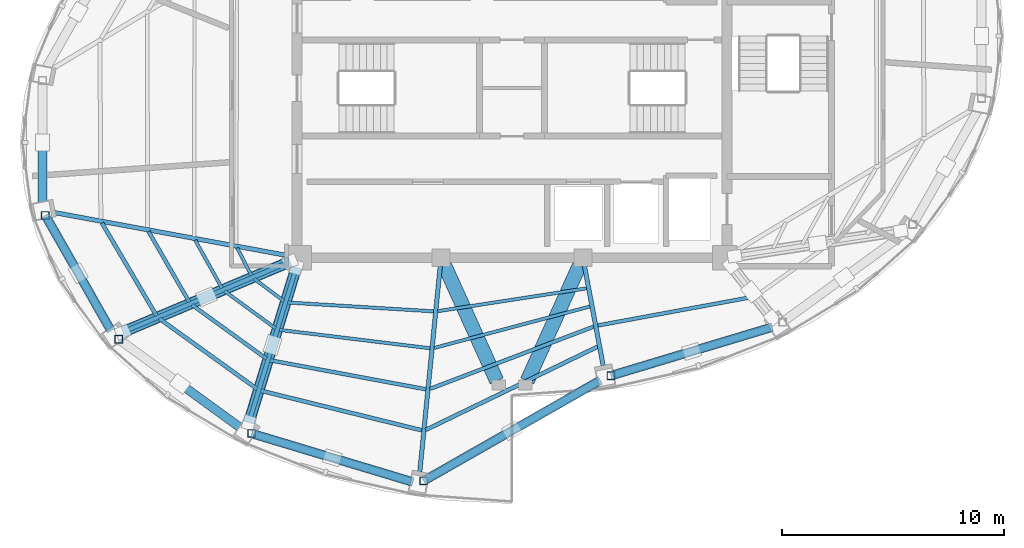
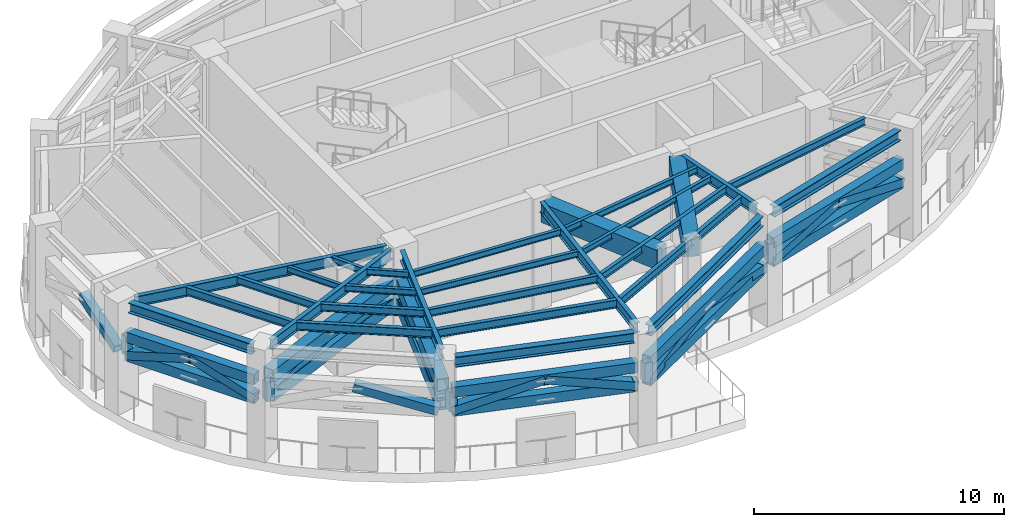
# One storey, part 2 of 12: 31 members, 28 beams.
"""IFC4 building model written with IfcOpenShell, lengths in metres."""

import ifcopenshell
import ifcopenshell.guid

model = None  # the IFC model being written
_history = None  # IfcOwnerHistory: only IFC2X3 demands one
_inside = {}  # id of a spatial element -> (the spatial element, [elements in it])
_under = {}  # id of a project, library or spatial element -> (it, [spatial elements below it])
_declared = {}  # id of a project -> (the project, [libraries it declares])
_typed = {}  # id of a type object -> (the type object, [elements of that type])
_made_of = {}  # id of a material, layer set ... -> (it, [elements and type objects made of it])


def new_model(schema):
    """Start an empty IFC model of exactly this schema.

    Asked for "IFC4X3", IfcOpenShell would pick the latest addendum, in which some entities
    have other attributes; the version numbers below select the first issue.
    IFC2X3 requires an IfcOwnerHistory on every rooted entity: one is made here for all.
    """
    global model, _history
    if schema == "IFC4X3":
        model = ifcopenshell.file(schema_version=(4, 3, 0, 0))
    else:
        model = ifcopenshell.file(schema=schema)
    _inside.clear()
    _under.clear()
    _declared.clear()
    _typed.clear()
    _made_of.clear()
    _history = None
    if model.schema == "IFC2X3":
        org = make("IfcOrganization", Name="unknown")
        user = make(
            "IfcPersonAndOrganization",
            ThePerson=make("IfcPerson", FamilyName="unknown"),
            TheOrganization=org,
        )
        app = make(
            "IfcApplication",
            ApplicationDeveloper=org,
            Version="unknown",
            ApplicationFullName="unknown",
            ApplicationIdentifier="unknown",
        )
        _history = make(
            "IfcOwnerHistory",
            OwningUser=user,
            OwningApplication=app,
            ChangeAction="ADDED",
            CreationDate=0,
        )
    return model


def make(cls, **values):
    """One entity of the class cls with the attributes given. An attribute that is None is left unset."""
    return model.create_entity(
        cls, **{name: value for name, value in values.items() if value is not None}
    )


def rooted(cls, **values):
    """An entity with a GlobalId (a new one), such as an element, a storey or a relation."""
    return make(cls, GlobalId=ifcopenshell.guid.new(), OwnerHistory=_history, **values)


def si_unit(unit_type, name, prefix=None):
    """IfcSIUnit, for example si_unit("LENGTHUNIT", "METRE", prefix="MILLI")."""
    return make("IfcSIUnit", UnitType=unit_type, Prefix=prefix, Name=name)


def assignment(units):
    """IfcUnitAssignment: the units of a project."""
    return None if units is None else make("IfcUnitAssignment", Units=units)


def point(xyz):
    """IfcCartesianPoint."""
    return None if xyz is None else make("IfcCartesianPoint", Coordinates=xyz)


def direction(xyz):
    """IfcDirection."""
    return None if xyz is None else make("IfcDirection", DirectionRatios=xyz)


def frame(location, z_axis=None, x_axis=None):
    """IfcAxis2Placement3D, a coordinate frame: its origin and axes. An axis left out is left unset."""
    return make(
        "IfcAxis2Placement3D",
        Location=point(location),
        Axis=direction(z_axis),
        RefDirection=direction(x_axis),
    )


def frame_2d(location, x_axis=None):
    """IfcAxis2Placement2D, a coordinate frame in the plane: its origin and x axis."""
    return make(
        "IfcAxis2Placement2D", Location=point(location), RefDirection=direction(x_axis)
    )


def origin():
    """The frame at (0, 0, 0) with its axes left unset."""
    return frame((0.0, 0.0, 0.0))


def origin_2d():
    """The frame at (0, 0) in the plane with its x axis left unset."""
    return frame_2d((0.0, 0.0))


def place(relative_to, where):
    """IfcLocalPlacement: puts the frame where relative to a parent placement (None: the world)."""
    return make(
        "IfcLocalPlacement", PlacementRelTo=relative_to, RelativePlacement=where
    )


def context(
    kind, dimensions, precision=None, world=None, true_north=None, identifier=None
):
    """IfcGeometricRepresentationContext, for example the 3D "Model" context."""
    return make(
        "IfcGeometricRepresentationContext",
        ContextIdentifier=identifier,
        ContextType=kind,
        CoordinateSpaceDimension=dimensions,
        Precision=precision,
        WorldCoordinateSystem=world,
        TrueNorth=true_north,
    )


def subcontext(parent, identifier, kind, view, scale=None):
    """IfcGeometricRepresentationSubContext, for example "Body" below "Model"."""
    return make(
        "IfcGeometricRepresentationSubContext",
        ContextIdentifier=identifier,
        ContextType=kind,
        ParentContext=parent,
        TargetScale=scale,
        TargetView=view,
    )


def project(units=None, contexts=None):
    """IfcProject with its units and contexts."""
    return rooted(
        "IfcProject",
        Name="project",
        RepresentationContexts=contexts,
        UnitsInContext=assignment(units),
    )


def spatial(cls, under=None, at=None, **own):
    """A site, building, storey or space (cls), placed at a placement, below another one or the project."""
    s = rooted(cls, ObjectPlacement=at, **own)
    if under is not None:
        _under.setdefault(under.id(), (under, []))[1].append(s)
    return s


def profile(cls, at=None, kind="AREA", **sizes):
    """A parametric profile (cls). Its sizes go by their IFC names, for example OverallWidth=200.0."""
    return make(cls, ProfileType=kind, Position=at, **sizes)


def rectangle(**sizes):
    """IfcRectangleProfileDef."""
    return profile("IfcRectangleProfileDef", **sizes)


def hollow_rectangle(**sizes):
    """IfcRectangleHollowProfileDef."""
    return profile("IfcRectangleHollowProfileDef", **sizes)


def i_section(**sizes):
    """IfcIShapeProfileDef."""
    return profile("IfcIShapeProfileDef", **sizes)


def extrude(swept, where, along, depth):
    """IfcExtrudedAreaSolid: the profile swept, set in the frame where, extruded along a direction by depth."""
    return make(
        "IfcExtrudedAreaSolid",
        SweptArea=swept,
        Position=where,
        ExtrudedDirection=direction(along),
        Depth=depth,
    )


def shape(context_of_items, identifier, shape_type, items):
    """IfcShapeRepresentation: the items that make up one representation, for example the "Body"."""
    return make(
        "IfcShapeRepresentation",
        ContextOfItems=context_of_items,
        RepresentationIdentifier=identifier,
        RepresentationType=shape_type,
        Items=items,
    )


def material(Name=None, Category=None):
    """IfcMaterial."""
    return make("IfcMaterial", Name=Name, Category=Category)


def material_profile(
    of_material, cross_section, Name=None, Category=None, Priority=None
):
    """IfcMaterialProfile: a cross section and its material."""
    return make(
        "IfcMaterialProfile",
        Name=Name,
        Material=of_material,
        Profile=cross_section,
        Priority=Priority,
        Category=Category,
    )


def profile_set(profiles, Name=None, composite=None):
    """IfcMaterialProfileSet."""
    return make(
        "IfcMaterialProfileSet",
        Name=Name,
        MaterialProfiles=profiles,
        CompositeProfile=composite,
    )


def made_of(thing, what):
    """Note that an element or type object is made of a material, layer set ...; save() writes the relation."""
    if what is not None:
        _made_of.setdefault(what.id(), (what, []))[1].append(thing)
    return thing


def type_object(cls, material=None, **own):
    """A type object (cls), such as IfcWallType, which elements share."""
    return made_of(rooted(cls, **own), material)


def element(
    cls,
    number,
    at=None,
    inside=None,
    cuts=None,
    type_object=None,
    material=None,
    context=None,
    identifier="Body",
    shape_type=None,
    held_by="IfcProductDefinitionShape",
    body=None,
    shapes=None,
    **own,
):
    """One element of the class cls, such as IfcWall. Its Tag is "e" and its number.

    at: its placement. inside: the storey or other place that contains it. cuts: it is an
    opening in that element (IfcRelVoidsElement). A single representation is given by context,
    identifier, shape_type and body (its items); several are given by shapes. held_by: the class
    of the entity that holds the representations. save() writes the other relations.
    """
    e = rooted(cls, Tag="e%d" % number, ObjectPlacement=at, **own)
    if body is not None:
        shapes = [shape(context, identifier, shape_type, body)]
    if shapes is not None:
        e.Representation = make(held_by, Representations=shapes)
    if inside is not None:
        _inside.setdefault(inside.id(), (inside, []))[1].append(e)
    if cuts is not None:
        rooted(
            "IfcRelVoidsElement", RelatingBuildingElement=cuts, RelatedOpeningElement=e
        )
    if type_object is not None:
        _typed.setdefault(type_object.id(), (type_object, []))[1].append(e)
    return made_of(e, material)


def aggregate(whole, parts):
    """IfcRelAggregates: a whole, such as a stair, and the parts it consists of."""
    return rooted("IfcRelAggregates", RelatingObject=whole, RelatedObjects=parts)


def save(model, path):
    """Write the relations noted so far, then the file.

    IfcRelAggregates (storeys below a building ...), IfcRelContainedInSpatialStructure (elements
    in a storey), IfcRelDefinesByType, IfcRelAssociatesMaterial and IfcRelDeclares: one each for
    every whole, place, type object, material and project.
    """
    for whole, parts in _under.values():
        aggregate(whole, parts)
    for where, things in _inside.values():
        rooted(
            "IfcRelContainedInSpatialStructure",
            RelatedElements=things,
            RelatingStructure=where,
        )
    for kind, things in _typed.values():
        rooted("IfcRelDefinesByType", RelatedObjects=things, RelatingType=kind)
    for what, things in _made_of.values():
        rooted("IfcRelAssociatesMaterial", RelatedObjects=things, RelatingMaterial=what)
    for by, libraries in _declared.values():
        rooted("IfcRelDeclares", RelatingContext=by, RelatedDefinitions=libraries)
    model.write(path)


model = new_model("IFC4")

# Units and contexts
model_context = context("Model", 3, precision=1e-05, world=origin(), true_north=direction((0.0, 1.0)))
body_context = subcontext(model_context, "Body", "Model", "MODEL_VIEW")
ifc_project = project(units=[si_unit("LENGTHUNIT", "METRE"), si_unit("AREAUNIT", "SQUARE_METRE"), si_unit("VOLUMEUNIT", "CUBIC_METRE"), si_unit("PLANEANGLEUNIT", "RADIAN"), si_unit("MASSUNIT", "GRAM", prefix="KILO")], contexts=[model_context])

# Site, building, storey
site_placement = place(None, origin())
site = spatial("IfcSite", under=ifc_project, at=site_placement, CompositionType="ELEMENT")
building_placement = place(site_placement, origin())
building = spatial("IfcBuilding", under=site, at=building_placement, Name="Lazwardi Medical Tower", CompositionType="ELEMENT")
storey_placement = place(building_placement, frame((0.0, 0.0, 245.904052734375)))
storey = spatial("IfcBuildingStorey", under=building, at=storey_placement, Name="L64", CompositionType="ELEMENT", Elevation=245.904052734375)

# Beams
ifc_material_1 = material(Name="Concrete C60/75", Category="concrete")
ifc_material_profile_1 = material_profile(ifc_material_1, rectangle(XDim=0.64990234375, YDim=0.949951171875, at=origin_2d()), Name="RC 650x950")
ifc_profile_set_1 = profile_set([ifc_material_profile_1], Name="Concrete C60/75")
beam_type_1 = type_object("IfcBeamType", Name="BM-CB-RC2", PredefinedType="LINTEL", material=ifc_profile_set_1)
for number, where, z_axis, x_axis, name in (
    (1, (32.95849609375, 20.04931640625, 4.796875), (0.412019279944, -0.911175127489, 0.0), (0.911175127489, 0.412019279944, 0.0), "Core coupling lintel CB-02 PL3 L64"),
    (2, (39.04150390625, 20.04931640625, 4.796875), (-0.412019279944, -0.911175127489, 0.0), (0.911175127489, -0.412019279944, 0.0), "Core coupling lintel CB-02 PL4 L64"),
):
    element("IfcBeam", number, at=place(storey_placement, frame(where, z_axis=z_axis, x_axis=x_axis)), inside=storey, type_object=beam_type_1, Name=name, PredefinedType="LINTEL", context=body_context, shape_type="SweptSolid", body=[
        extrude(rectangle(XDim=0.64990234375, YDim=0.949951171875, at=origin_2d()), origin(), (0.0, 0.0, 1.0), 5.7158203125),
    ])
ifc_material_2 = material(Name="Steel S355", Category="steel")
ifc_material_profile_2 = material_profile(ifc_material_2, i_section(OverallWidth=0.300048828125, OverallDepth=0.5, WebThickness=0.014404296875, FlangeThickness=0.028076171875, at=origin_2d()), Name="HEB 500")
ifc_profile_set_2 = profile_set([ifc_material_profile_2], Name="Steel S355")
beam_type_2 = type_object("IfcBeamType", Name="BM-RB-Z4", PredefinedType="BEAM", material=ifc_profile_set_2)
beam_1_placement = place(storey_placement, frame((40.58740234375, 15.114013671875, 5.02197265625), z_axis=(0.957544311906, 0.288286126506, 0.0), x_axis=(-0.288286126506, 0.957544311906, 0.0)))
element("IfcBeam", 3, at=beam_1_placement, inside=storey, type_object=beam_type_2, Name="Ring beam RB-05 B01 L64", PredefinedType="BEAM", context=body_context, shape_type="SweptSolid", body=[
    extrude(i_section(OverallWidth=0.300048828125, OverallDepth=0.5, WebThickness=0.014404296875, FlangeThickness=0.028076171875, at=origin_2d()), origin(), (0.0, 0.0, 1.0), 7.3515625),
])
beam_2_placement = place(storey_placement, frame((15.008056640625, 22.1982421875, 5.02197265625), z_axis=(0.495125273299, -0.868821594886, 0.0), x_axis=(0.868821594886, 0.495125273299, 0.0)))
element("IfcBeam", 4, at=beam_2_placement, inside=storey, type_object=beam_type_2, Name="Ring beam RB-05 B13 L64", PredefinedType="BEAM", context=body_context, shape_type="SweptSolid", body=[
    extrude(i_section(OverallWidth=0.300048828125, OverallDepth=0.5, WebThickness=0.014404296875, FlangeThickness=0.028076171875, at=origin_2d()), origin(), (0.0, 0.0, 1.0), 5.734130859375),
])
beam_3_placement = place(storey_placement, frame((24.373046875, 12.43359375, 5.02197265625), z_axis=(0.957544311906, -0.288286126506, 0.0), x_axis=(0.288286126506, 0.957544311906, 0.0)))
element("IfcBeam", 5, at=beam_3_placement, inside=storey, type_object=beam_type_2, Name="Ring beam RB-05 B15 L64", PredefinedType="BEAM", context=body_context, shape_type="SweptSolid", body=[
    extrude(i_section(OverallWidth=0.300048828125, OverallDepth=0.5, WebThickness=0.014404296875, FlangeThickness=0.028076171875, at=origin_2d()), origin(), (0.0, 0.0, 1.0), 7.3515625),
])
beam_4_placement = place(storey_placement, frame((32.125, 10.394775390625, 5.02197265625), z_axis=(0.868954808466, 0.494891443494, 0.0), x_axis=(-0.494891443494, 0.868954808466, 0.0)))
element("IfcBeam", 6, at=beam_4_placement, inside=storey, type_object=beam_type_2, Name="Ring beam RB-05 B16 L64", PredefinedType="BEAM", context=body_context, shape_type="SweptSolid", body=[
    extrude(i_section(OverallWidth=0.300048828125, OverallDepth=0.5, WebThickness=0.014404296875, FlangeThickness=0.028076171875, at=origin_2d()), origin(), (0.0, 0.0, 1.0), 8.918701171875),
])
ifc_material_profile_3 = material_profile(ifc_material_2, i_section(OverallWidth=0.199951171875, OverallDepth=0.5, WebThickness=0.01025390625, FlangeThickness=0.01611328125, at=origin_2d()), Name="IPE 500")
ifc_profile_set_3 = profile_set([ifc_material_profile_3], Name="Steel S355")
beam_type_3 = type_object("IfcBeamType", Name="BM-RG-W3", PredefinedType="BEAM", material=ifc_profile_set_3)
beam_5_placement = place(storey_placement, frame((40.115234375, 15.527587890625, 5.02197265625), z_axis=(-0.184633463507, 0.982807450192, 0.0), x_axis=(-0.982807450192, -0.184633463507, 0.0)))
element("IfcBeam", 7, at=beam_5_placement, inside=storey, type_object=beam_type_3, Name="Radial girder RG-04 R01 L64", PredefinedType="BEAM", context=body_context, shape_type="SweptSolid", body=[
    extrude(i_section(OverallWidth=0.199951171875, OverallDepth=0.5, WebThickness=0.01025390625, FlangeThickness=0.01611328125, at=origin_2d()), origin(), (0.0, 0.0, 1.0), 4.572509765625),
])
beam_6_placement = place(storey_placement, frame((15.341064453125, 22.43994140625, 5.02197265625), z_axis=(0.983409341459, -0.181400295288, 0.0), x_axis=(0.181400295288, 0.983409341459, 0.0)))
element("IfcBeam", 8, at=beam_6_placement, inside=storey, type_object=beam_type_3, Name="Radial girder RG-04 R13 L64", PredefinedType="BEAM", context=body_context, shape_type="SweptSolid", body=[
    extrude(i_section(OverallWidth=0.199951171875, OverallDepth=0.5, WebThickness=0.01025390625, FlangeThickness=0.01611328125, at=origin_2d()), origin(), (0.0, 0.0, 1.0), 10.71044921875),
])
beam_7_placement = place(storey_placement, frame((18.533203125, 17.085205078125, 5.02197265625), z_axis=(0.921526791352, 0.388314785735, 0.0), x_axis=(-0.388314785735, 0.921526791352, 0.0)))
element("IfcBeam", 9, at=beam_7_placement, inside=storey, type_object=beam_type_3, Name="Radial girder RG-04 R14 L64", PredefinedType="BEAM", context=body_context, shape_type="SweptSolid", body=[
    extrude(i_section(OverallWidth=0.199951171875, OverallDepth=0.5, WebThickness=0.01025390625, FlangeThickness=0.01611328125, at=origin_2d()), origin(), (0.0, 0.0, 1.0), 8.001708984375),
])
beam_8_placement = place(storey_placement, frame((24.156005859375, 13.0576171875, 5.02197265625), z_axis=(0.292276716539, 0.956333791607, 0.0), x_axis=(-0.956333791607, 0.292276716539, 0.0)))
element("IfcBeam", 10, at=beam_8_placement, inside=storey, type_object=beam_type_3, Name="Radial girder RG-04 R15 L64", PredefinedType="BEAM", context=body_context, shape_type="SweptSolid", body=[
    extrude(i_section(OverallWidth=0.199951171875, OverallDepth=0.5, WebThickness=0.01025390625, FlangeThickness=0.01611328125, at=origin_2d()), origin(), (0.0, 0.0, 1.0), 7.142822265625),
])
beam_9_placement = place(storey_placement, frame((31.8388671875, 10.734130859375, 5.02197265625), z_axis=(0.098954361922, 0.995091972763, 0.0), x_axis=(-0.995091972763, 0.098954361922, 0.0)))
element("IfcBeam", 11, at=beam_9_placement, inside=storey, type_object=beam_type_3, Name="Radial girder RG-04 R16 L64", PredefinedType="BEAM", context=body_context, shape_type="SweptSolid", body=[
    extrude(i_section(OverallWidth=0.199951171875, OverallDepth=0.5, WebThickness=0.01025390625, FlangeThickness=0.01611328125, at=origin_2d()), origin(), (0.0, 0.0, 1.0), 9.32861328125),
])
ifc_material_profile_4 = material_profile(ifc_material_2, i_section(OverallWidth=0.179931640625, OverallDepth=0.39990234375, WebThickness=0.008544921875, FlangeThickness=0.013427734375, at=origin_2d()), Name="IPE 400")
ifc_profile_set_4 = profile_set([ifc_material_profile_4], Name="Steel S355")
beam_type_4 = type_object("IfcBeamType", Name="BM-SJ-01", PredefinedType="JOIST", material=ifc_profile_set_4)
beam_10_placement = place(storey_placement, frame((17.495849609375, 21.969482421875, 5.072021484375), z_axis=(0.507710311367, -0.861527851977, 0.0), x_axis=(0.861527851977, 0.507710311367, 0.0)))
element("IfcBeam", 12, at=beam_10_placement, inside=storey, type_object=beam_type_4, Name="Secondary joist SJ-01 R1 B13 L64", PredefinedType="JOIST", context=body_context, shape_type="SweptSolid", body=[
    extrude(i_section(OverallWidth=0.179931640625, OverallDepth=0.39990234375, WebThickness=0.008544921875, FlangeThickness=0.013427734375, at=origin_2d()), origin(), (0.0, 0.0, 1.0), 4.852783203125),
])
beam_11_placement = place(storey_placement, frame((20.085205078125, 17.651123046875, 5.072021484375), z_axis=(0.811889581337, -0.58381102055, 0.0), x_axis=(0.58381102055, 0.811889581337, 0.0)))
element("IfcBeam", 13, at=beam_11_placement, inside=storey, type_object=beam_type_4, Name="Secondary joist SJ-01 R1 B14 L64", PredefinedType="JOIST", context=body_context, shape_type="SweptSolid", body=[
    extrude(i_section(OverallWidth=0.179931640625, OverallDepth=0.39990234375, WebThickness=0.008544921875, FlangeThickness=0.013427734375, at=origin_2d()), origin(), (0.0, 0.0, 1.0), 5.433349609375),
])
beam_12_placement = place(storey_placement, frame((24.665771484375, 14.40087890625, 5.072021484375), z_axis=(0.971041669317, -0.238910184904, 0.0), x_axis=(0.238910184904, 0.971041669317, 0.0)))
element("IfcBeam", 14, at=beam_12_placement, inside=storey, type_object=beam_type_4, Name="Secondary joist SJ-01 R1 B15 L64", PredefinedType="JOIST", context=body_context, shape_type="SweptSolid", body=[
    extrude(i_section(OverallWidth=0.179931640625, OverallDepth=0.39990234375, WebThickness=0.008544921875, FlangeThickness=0.013427734375, at=origin_2d()), origin(), (0.0, 0.0, 1.0), 7.482421875),
])
beam_13_placement = place(storey_placement, frame((32.10888671875, 12.632080078125, 5.072021484375), z_axis=(0.900068885459, 0.435747635024, 0.0), x_axis=(-0.435747635024, 0.900068885459, 0.0)))
element("IfcBeam", 15, at=beam_13_placement, inside=storey, type_object=beam_type_4, Name="Secondary joist SJ-01 R1 B16 L64", PredefinedType="JOIST", context=body_context, shape_type="SweptSolid", body=[
    extrude(i_section(OverallWidth=0.179931640625, OverallDepth=0.39990234375, WebThickness=0.008544921875, FlangeThickness=0.013427734375, at=origin_2d()), origin(), (0.0, 0.0, 1.0), 8.612548828125),
])
ifc_material_profile_5 = material_profile(ifc_material_2, i_section(OverallWidth=0.169921875, OverallDepth=0.360107421875, WebThickness=0.008056640625, FlangeThickness=0.0126953125, at=origin_2d()), Name="IPE 360")
ifc_profile_set_5 = profile_set([ifc_material_profile_5], Name="Steel S355")
beam_type_5 = type_object("IfcBeamType", Name="BM-SJ-02", PredefinedType="JOIST", material=ifc_profile_set_5)
beam_14_placement = place(storey_placement, frame((39.87109375, 17.34228515625, 5.092041015625), z_axis=(0.983427965623, 0.181299300688, 0.0), x_axis=(-0.181299300688, 0.983427965623, 0.0)))
element("IfcBeam", 16, at=beam_14_placement, inside=storey, type_object=beam_type_5, Name="Secondary joist SJ-02 R2 B01 L64", PredefinedType="JOIST", context=body_context, shape_type="SweptSolid", body=[
    extrude(i_section(OverallWidth=0.169921875, OverallDepth=0.360107421875, WebThickness=0.008056640625, FlangeThickness=0.0126953125, at=origin_2d()), origin(), (0.0, 0.0, 1.0), 7.127685546875),
])
beam_15_placement = place(storey_placement, frame((19.601806640625, 21.58056640625, 5.092041015625), z_axis=(0.500655179543, -0.865646805109, 0.0), x_axis=(0.865646805109, 0.500655179543, 0.0)))
element("IfcBeam", 17, at=beam_15_placement, inside=storey, type_object=beam_type_5, Name="Secondary joist SJ-02 R2 B13 L64", PredefinedType="JOIST", context=body_context, shape_type="SweptSolid", body=[
    extrude(i_section(OverallWidth=0.169921875, OverallDepth=0.360107421875, WebThickness=0.008056640625, FlangeThickness=0.0126953125, at=origin_2d()), origin(), (0.0, 0.0, 1.0), 3.662109375),
])
beam_16_placement = place(storey_placement, frame((21.559814453125, 18.2724609375, 5.092041015625), z_axis=(0.810164229155, -0.586202969796, 0.0), x_axis=(0.586202969796, 0.810164229155, 0.0)))
element("IfcBeam", 18, at=beam_16_placement, inside=storey, type_object=beam_type_5, Name="Secondary joist SJ-02 R2 B14 L64", PredefinedType="JOIST", context=body_context, shape_type="SweptSolid", body=[
    extrude(i_section(OverallWidth=0.169921875, OverallDepth=0.360107421875, WebThickness=0.008056640625, FlangeThickness=0.0126953125, at=origin_2d()), origin(), (0.0, 0.0, 1.0), 4.14013671875),
])
beam_17_placement = place(storey_placement, frame((25.08447265625, 15.7724609375, 5.092041015625), z_axis=(0.983132476587, -0.182894870019, 0.0), x_axis=(0.182894870019, 0.983132476587, 0.0)))
element("IfcBeam", 19, at=beam_17_placement, inside=storey, type_object=beam_type_5, Name="Secondary joist SJ-02 R2 B15 L64", PredefinedType="JOIST", context=body_context, shape_type="SweptSolid", body=[
    extrude(i_section(OverallWidth=0.169921875, OverallDepth=0.360107421875, WebThickness=0.008056640625, FlangeThickness=0.0126953125, at=origin_2d()), origin(), (0.0, 0.0, 1.0), 7.15087890625),
])
beam_18_placement = place(storey_placement, frame((32.296875, 14.48095703125, 5.092041015625), z_axis=(0.934714470268, 0.355399576633, 0.0), x_axis=(-0.355399576633, 0.934714470268, 0.0)))
element("IfcBeam", 20, at=beam_18_placement, inside=storey, type_object=beam_type_5, Name="Secondary joist SJ-02 R2 B16 L64", PredefinedType="JOIST", context=body_context, shape_type="SweptSolid", body=[
    extrude(i_section(OverallWidth=0.169921875, OverallDepth=0.360107421875, WebThickness=0.008056640625, FlangeThickness=0.0126953125, at=origin_2d()), origin(), (0.0, 0.0, 1.0), 7.908203125),
])
ifc_material_profile_6 = material_profile(ifc_material_2, i_section(OverallWidth=0.14990234375, OverallDepth=0.300048828125, WebThickness=0.007080078125, FlangeThickness=0.0107421875, at=origin_2d()), Name="IPE 300")
ifc_profile_set_6 = profile_set([ifc_material_profile_6], Name="Steel S355")
beam_type_6 = type_object("IfcBeamType", Name="BM-SJ-03", PredefinedType="JOIST", material=ifc_profile_set_6)
beam_19_placement = place(storey_placement, frame((21.70703125, 21.19140625, 5.121826171875), z_axis=(0.487092942089, -0.873350139272, 0.0), x_axis=(0.873350139272, 0.487092942089, 0.0)))
element("IfcBeam", 21, at=beam_19_placement, inside=storey, type_object=beam_type_6, Name="Secondary joist SJ-03 R3 B13 L64", PredefinedType="JOIST", context=body_context, shape_type="SweptSolid", body=[
    extrude(i_section(OverallWidth=0.14990234375, OverallDepth=0.300048828125, WebThickness=0.007080078125, FlangeThickness=0.0107421875, at=origin_2d()), origin(), (0.0, 0.0, 1.0), 2.471923828125),
])
beam_20_placement = place(storey_placement, frame((23.0341796875, 18.893310546875, 5.121826171875), z_axis=(0.80703431267, -0.59050454543, 0.0), x_axis=(0.59050454543, 0.80703431267, 0.0)))
element("IfcBeam", 22, at=beam_20_placement, inside=storey, type_object=beam_type_6, Name="Secondary joist SJ-03 R3 B14 L64", PredefinedType="JOIST", context=body_context, shape_type="SweptSolid", body=[
    extrude(i_section(OverallWidth=0.14990234375, OverallDepth=0.300048828125, WebThickness=0.007080078125, FlangeThickness=0.0107421875, at=origin_2d()), origin(), (0.0, 0.0, 1.0), 2.846923828125),
])
beam_21_placement = place(storey_placement, frame((25.5029296875, 17.14453125, 5.121826171875), z_axis=(0.992634689535, -0.121146081783, 0.0), x_axis=(0.121146081783, 0.992634689535, 0.0)))
element("IfcBeam", 23, at=beam_21_placement, inside=storey, type_object=beam_type_6, Name="Secondary joist SJ-03 R3 B15 L64", PredefinedType="JOIST", context=body_context, shape_type="SweptSolid", body=[
    extrude(i_section(OverallWidth=0.14990234375, OverallDepth=0.300048828125, WebThickness=0.007080078125, FlangeThickness=0.0107421875, at=origin_2d()), origin(), (0.0, 0.0, 1.0), 6.845947265625),
])
beam_22_placement = place(storey_placement, frame((32.484619140625, 16.328125, 5.121826171875), z_axis=(0.966369007826, 0.257159368316, 0.0), x_axis=(-0.257159368316, 0.966369007826, 0.0)))
element("IfcBeam", 24, at=beam_22_placement, inside=storey, type_object=beam_type_6, Name="Secondary joist SJ-03 R3 B16 L64", PredefinedType="JOIST", context=body_context, shape_type="SweptSolid", body=[
    extrude(i_section(OverallWidth=0.14990234375, OverallDepth=0.300048828125, WebThickness=0.007080078125, FlangeThickness=0.0107421875, at=origin_2d()), origin(), (0.0, 0.0, 1.0), 7.27685546875),
])
beam_23_placement = place(storey_placement, frame((23.60009765625, 20.840087890625, 5.121826171875), z_axis=(0.457285056668, -0.889320176848, 0.0), x_axis=(0.889320176848, 0.457285056668, 0.0)))
element("IfcBeam", 25, at=beam_23_placement, inside=storey, type_object=beam_type_6, Name="Secondary joist SJ-03 R4 B13 L64", PredefinedType="JOIST", context=body_context, shape_type="SweptSolid", body=[
    extrude(i_section(OverallWidth=0.14990234375, OverallDepth=0.300048828125, WebThickness=0.007080078125, FlangeThickness=0.0107421875, at=origin_2d()), origin(), (0.0, 0.0, 1.0), 1.402099609375),
])
beam_24_placement = place(storey_placement, frame((24.36083984375, 19.451904296875, 5.121826171875), z_axis=(0.800365301971, -0.599512621553, 0.0), x_axis=(0.599512621553, 0.800365301971, 0.0)))
element("IfcBeam", 26, at=beam_24_placement, inside=storey, type_object=beam_type_6, Name="Secondary joist SJ-03 R4 B14 L64", PredefinedType="JOIST", context=body_context, shape_type="SweptSolid", body=[
    extrude(i_section(OverallWidth=0.14990234375, OverallDepth=0.300048828125, WebThickness=0.007080078125, FlangeThickness=0.0107421875, at=origin_2d()), origin(), (0.0, 0.0, 1.0), 1.68359375),
])
beam_25_placement = place(storey_placement, frame((25.879150390625, 18.3798828125, 5.121826171875), z_axis=(0.998165515862, -0.060544223044, 0.0), x_axis=(0.060544223044, 0.998165515862, 0.0)))
element("IfcBeam", 27, at=beam_25_placement, inside=storey, type_object=beam_type_6, Name="Secondary joist SJ-03 R4 B15 L64", PredefinedType="JOIST", context=body_context, shape_type="SweptSolid", body=[
    extrude(i_section(OverallWidth=0.14990234375, OverallDepth=0.300048828125, WebThickness=0.007080078125, FlangeThickness=0.0107421875, at=origin_2d()), origin(), (0.0, 0.0, 1.0), 6.59716796875),
])
beam_26_placement = place(storey_placement, frame((32.652587890625, 17.989013671875, 5.121826171875), z_axis=(0.988433562862, 0.151654514629, 0.0), x_axis=(-0.151654514629, 0.988433562862, 0.0)))
element("IfcBeam", 28, at=beam_26_placement, inside=storey, type_object=beam_type_6, Name="Secondary joist SJ-03 R4 B16 L64", PredefinedType="JOIST", context=body_context, shape_type="SweptSolid", body=[
    extrude(i_section(OverallWidth=0.14990234375, OverallDepth=0.300048828125, WebThickness=0.007080078125, FlangeThickness=0.0107421875, at=origin_2d()), origin(), (0.0, 0.0, 1.0), 6.788818359375),
])

# Members
ifc_material_3 = material(Name="Steel S460", Category="steel")
ifc_material_profile_7 = material_profile(ifc_material_3, hollow_rectangle(XDim=0.39990234375, YDim=0.5, WallThickness=0.02490234375, at=origin_2d()), Name="RHS 500x400x25")
ifc_profile_set_7 = profile_set([ifc_material_profile_7], Name="Steel S460")
member_type_1 = type_object("IfcMemberType", Name="MEM-BC-01", PredefinedType="CHORD", material=ifc_profile_set_7)
for number, where, z_axis, x_axis, name in (
    (29, (40.462890625, 15.07666015625, 2.679931640625), (0.957542439022, 0.288292347232, 0.0), (-0.288292347232, 0.957542439022, 0.0), "Belt truss bottom chord BC-01 B01 L64"),
    (30, (40.462890625, 15.07666015625, 3.599853515625), (0.957542439022, 0.288292347232, 0.0), (-0.288292347232, 0.957542439022, 0.0), "Belt truss top chord BC-01 B01 L64"),
):
    element("IfcMember", number, at=place(storey_placement, frame(where, z_axis=z_axis, x_axis=x_axis)), inside=storey, type_object=member_type_1, Name=name, PredefinedType="CHORD", context=body_context, shape_type="SweptSolid", body=[
        extrude(hollow_rectangle(XDim=0.39990234375, YDim=0.5, WallThickness=0.02490234375, at=origin_2d()), origin(), (0.0, 0.0, 1.0), 7.611572265625),
    ])
for number, where, z_axis, x_axis, name in (
    (31, (14.943603515625, 22.311279296875, 2.679931640625), (0.495151704402, -0.868806531759, 0.0), (0.868806531759, 0.495151704402, 0.0), "Belt truss bottom chord BC-01 B13 L64"),
    (32, (14.943603515625, 22.311279296875, 3.599853515625), (0.495151704402, -0.868806531759, 0.0), (0.868806531759, 0.495151704402, 0.0), "Belt truss top chord BC-01 B13 L64"),
):
    element("IfcMember", number, at=place(storey_placement, frame(where, z_axis=z_axis, x_axis=x_axis)), inside=storey, type_object=member_type_1, Name=name, PredefinedType="CHORD", context=body_context, shape_type="SweptSolid", body=[
        extrude(hollow_rectangle(XDim=0.39990234375, YDim=0.5, WallThickness=0.02490234375, at=origin_2d()), origin(), (0.0, 0.0, 1.0), 5.994140625),
    ])
for number, where, z_axis, x_axis, name in (
    (33, (24.248779296875, 12.470947265625, 2.679931640625), (0.957542439022, -0.288292347232, 0.0), (0.288292347232, 0.957542439022, 0.0), "Belt truss bottom chord BC-01 B15 L64"),
    (34, (24.248779296875, 12.470947265625, 3.599853515625), (0.957542439022, -0.288292347232, 0.0), (0.288292347232, 0.957542439022, 0.0), "Belt truss top chord BC-01 B15 L64"),
):
    element("IfcMember", number, at=place(storey_placement, frame(where, z_axis=z_axis, x_axis=x_axis)), inside=storey, type_object=member_type_1, Name=name, PredefinedType="CHORD", context=body_context, shape_type="SweptSolid", body=[
        extrude(hollow_rectangle(XDim=0.39990234375, YDim=0.5, WallThickness=0.02490234375, at=origin_2d()), origin(), (0.0, 0.0, 1.0), 7.611572265625),
    ])
for number, where, z_axis, x_axis, name in (
    (35, (32.011962890625, 10.330322265625, 2.679931640625), (0.868947717974, 0.494903893123, 0.0), (-0.494903893123, 0.868947717974, 0.0), "Belt truss bottom chord BC-01 B16 L64"),
    (36, (32.011962890625, 10.330322265625, 3.599853515625), (0.868947717974, 0.494903893123, 0.0), (-0.494903893123, 0.868947717974, 0.0), "Belt truss top chord BC-01 B16 L64"),
):
    element("IfcMember", number, at=place(storey_placement, frame(where, z_axis=z_axis, x_axis=x_axis)), inside=storey, type_object=member_type_1, Name=name, PredefinedType="CHORD", context=body_context, shape_type="SweptSolid", body=[
        extrude(hollow_rectangle(XDim=0.39990234375, YDim=0.5, WallThickness=0.02490234375, at=origin_2d()), origin(), (0.0, 0.0, 1.0), 9.178955078125),
    ])
ifc_material_profile_8 = material_profile(ifc_material_3, hollow_rectangle(XDim=0.39990234375, YDim=0.39990234375, WallThickness=0.02001953125, at=origin_2d()), Name="RHS 400x400x20")
ifc_profile_set_8 = profile_set([ifc_material_profile_8], Name="Steel S460")
member_type_2 = type_object("IfcMemberType", Name="MEM-BD-01", PredefinedType="BRACE", material=ifc_profile_set_8)
member_1_placement = place(storey_placement, frame((40.462890625, 15.07666015625, 2.679931640625), z_axis=(0.930741958808, 0.280213998987, 0.234945782863), x_axis=(-0.28828349305, 0.957545104752, 0.0)))
element("IfcMember", 37, at=member_1_placement, inside=storey, type_object=member_type_2, Name="Belt truss diagonal BD-01 B01A L64", PredefinedType="BRACE", context=body_context, shape_type="SweptSolid", body=[
    extrude(hollow_rectangle(XDim=0.39990234375, YDim=0.39990234375, WallThickness=0.02001953125, at=origin_2d()), origin(), (0.0, 0.0, 1.0), 3.91552734375),
])
member_2_placement = place(storey_placement, frame((47.751220703125, 17.27099609375, 2.679931640625), z_axis=(-0.930733620288, -0.28023026193, 0.234959418548), x_axis=(0.288301201934, -0.957539773045, 0.0)))
element("IfcMember", 38, at=member_2_placement, inside=storey, type_object=member_type_2, Name="Belt truss diagonal BD-01 B01B L64", PredefinedType="BRACE", context=body_context, shape_type="SweptSolid", body=[
    extrude(hollow_rectangle(XDim=0.39990234375, YDim=0.39990234375, WallThickness=0.02001953125, at=origin_2d()), origin(), (0.0, 0.0, 1.0), 3.915283203125),
])
member_3_placement = place(storey_placement, frame((14.81494140625, 22.797119140625, 2.679931640625), z_axis=(0.0, 0.950137926563, 0.311829954472), x_axis=(-1.0, 0.0, 0.0)))
element("IfcMember", 39, at=member_3_placement, inside=storey, type_object=member_type_2, Name="Belt truss diagonal BD-01 B12B L64", PredefinedType="BRACE", context=body_context, shape_type="SweptSolid", body=[
    extrude(hollow_rectangle(XDim=0.39990234375, YDim=0.39990234375, WallThickness=0.02001953125, at=origin_2d()), origin(), (0.0, 0.0, 1.0), 2.9501953125),
])
for number, where, z_axis, x_axis, name in (
    (40, (14.943603515625, 22.311279296875, 2.679931640625), (0.473310137511, -0.830589984649, 0.293424251093), (0.868834037506, 0.495103438961, 0.0), "Belt truss diagonal BD-01 B13A L64"),
    (41, (17.91162109375, 17.103515625, 2.679931640625), (-0.47340117863, 0.830535214688, 0.293432413403), (-0.868779022494, -0.495199969784, 0.0), "Belt truss diagonal BD-01 B13B L64"),
):
    element("IfcMember", number, at=place(storey_placement, frame(where, z_axis=z_axis, x_axis=x_axis)), inside=storey, type_object=member_type_2, Name=name, PredefinedType="BRACE", context=body_context, shape_type="SweptSolid", body=[
        extrude(hollow_rectangle(XDim=0.39990234375, YDim=0.39990234375, WallThickness=0.02001953125, at=origin_2d()), origin(), (0.0, 0.0, 1.0), 3.135009765625),
    ])
member_4_placement = place(storey_placement, frame((23.789306640625, 12.69873046875, 2.679931640625), z_axis=(-0.781177786987, 0.567822520824, 0.259497302421), x_axis=(-0.587963911037, -0.808887161054, 0.0)))
element("IfcMember", 42, at=member_4_placement, inside=storey, type_object=member_type_2, Name="Belt truss diagonal BD-01 B14B L64", PredefinedType="BRACE", context=body_context, shape_type="SweptSolid", body=[
    extrude(hollow_rectangle(XDim=0.39990234375, YDim=0.39990234375, WallThickness=0.02001953125, at=origin_2d()), origin(), (0.0, 0.0, 1.0), 3.544921875),
])
member_5_placement = place(storey_placement, frame((24.248779296875, 12.470947265625, 2.679931640625), z_axis=(0.930733620288, -0.28023026193, 0.234959418548), x_axis=(0.288301201934, 0.957539773045, 0.0)))
element("IfcMember", 43, at=member_5_placement, inside=storey, type_object=member_type_2, Name="Belt truss diagonal BD-01 B15A L64", PredefinedType="BRACE", context=body_context, shape_type="SweptSolid", body=[
    extrude(hollow_rectangle(XDim=0.39990234375, YDim=0.39990234375, WallThickness=0.02001953125, at=origin_2d()), origin(), (0.0, 0.0, 1.0), 3.915283203125),
])
member_6_placement = place(storey_placement, frame((31.537109375, 10.276611328125, 2.679931640625), z_axis=(-0.930741958808, 0.280213998987, 0.234945782863), x_axis=(-0.28828349305, -0.957545104752, 0.0)))
element("IfcMember", 44, at=member_6_placement, inside=storey, type_object=member_type_2, Name="Belt truss diagonal BD-01 B15B L64", PredefinedType="BRACE", context=body_context, shape_type="SweptSolid", body=[
    extrude(hollow_rectangle(XDim=0.39990234375, YDim=0.39990234375, WallThickness=0.02001953125, at=origin_2d()), origin(), (0.0, 0.0, 1.0), 3.91552734375),
])
member_7_placement = place(storey_placement, frame((32.011962890625, 10.330322265625, 2.679931640625), z_axis=(0.851990313314, 0.485271985006, 0.196528895045), x_axis=(-0.494923975875, 0.868936279657, 0.0)))
element("IfcMember", 45, at=member_7_placement, inside=storey, type_object=member_type_2, Name="Belt truss diagonal BD-01 B16A L64", PredefinedType="BRACE", context=body_context, shape_type="SweptSolid", body=[
    extrude(hollow_rectangle(XDim=0.39990234375, YDim=0.39990234375, WallThickness=0.02001953125, at=origin_2d()), origin(), (0.0, 0.0, 1.0), 4.680908203125),
])
member_8_placement = place(storey_placement, frame((39.988037109375, 14.873046875, 2.679931640625), z_axis=(-0.852011877275, -0.485232108619, 0.196533869212), x_axis=(0.494883809578, -0.868959156127, 0.0)))
element("IfcMember", 46, at=member_8_placement, inside=storey, type_object=member_type_2, Name="Belt truss diagonal BD-01 B16B L64", PredefinedType="BRACE", context=body_context, shape_type="SweptSolid", body=[
    extrude(hollow_rectangle(XDim=0.39990234375, YDim=0.39990234375, WallThickness=0.02001953125, at=origin_2d()), origin(), (0.0, 0.0, 1.0), 4.6806640625),
])
ifc_material_profile_9 = material_profile(ifc_material_2, hollow_rectangle(XDim=0.35009765625, YDim=0.35009765625, WallThickness=0.01611328125, at=origin_2d()), Name="RHS 350x350x16")
ifc_profile_set_9 = profile_set([ifc_material_profile_9], Name="Steel S355")
member_type_3 = type_object("IfcMemberType", Name="MEM-BV-01", PredefinedType="POST", material=ifc_profile_set_9)
for number, where, z_axis, x_axis, name in (
    (47, (40.462890625, 15.07666015625, 2.679931640625), (0.0, 0.0, 1.0), (1.0, 0.0, 0.0), "Belt truss post BV-01 B01 L64"),
    (48, (14.943603515625, 22.311279296875, 2.679931640625), (0.0, 0.0, 1.0), (1.0, 0.0, 0.0), "Belt truss post BV-01 B13 L64"),
    (49, (18.25048828125, 16.724609375, 2.679931640625), (0.0, 0.0, 1.0), (1.0, 0.0, 0.0), "Belt truss post BV-01 B14 L64"),
    (50, (24.248779296875, 12.470947265625, 2.679931640625), (0.0, 0.0, 1.0), (1.0, 0.0, 0.0), "Belt truss post BV-01 B15 L64"),
    (51, (32.011962890625, 10.330322265625, 2.679931640625), (0.0, 0.0, 1.0), (1.0, 0.0, 0.0), "Belt truss post BV-01 B16 L64"),
):
    element("IfcMember", number, at=place(storey_placement, frame(where, z_axis=z_axis, x_axis=x_axis)), inside=storey, type_object=member_type_3, Name=name, PredefinedType="POST", context=body_context, shape_type="SweptSolid", body=[
        extrude(hollow_rectangle(XDim=0.35009765625, YDim=0.35009765625, WallThickness=0.01611328125, at=origin_2d()), origin(), (0.0, 0.0, 1.0), 0.919921875),
    ])
ifc_material_profile_10 = material_profile(ifc_material_3, hollow_rectangle(XDim=0.5, YDim=0.60009765625, WallThickness=0.030029296875, at=origin_2d()), Name="RHS 600x500x30")
ifc_profile_set_10 = profile_set([ifc_material_profile_10], Name="Steel S460")
member_type_4 = type_object("IfcMemberType", Name="MEM-OC-01", PredefinedType="CHORD", material=ifc_profile_set_10)
for number, where, z_axis, x_axis, name in (
    (52, (25.9853515625, 20.225341796875, 2.679931640625), (-0.921528187193, -0.388311473187, 0.0), (0.388311473187, -0.921528187193, 0.0), "Outrigger truss bottom chord OC-01 OR1 L64"),
    (53, (25.9853515625, 20.225341796875, 3.599853515625), (-0.921528187193, -0.388311473187, 0.0), (0.388311473187, -0.921528187193, 0.0), "Outrigger truss top chord OC-01 OR1 L64"),
):
    element("IfcMember", number, at=place(storey_placement, frame(where, z_axis=z_axis, x_axis=x_axis)), inside=storey, type_object=member_type_4, Name=name, PredefinedType="CHORD", context=body_context, shape_type="SweptSolid", body=[
        extrude(hollow_rectangle(XDim=0.5, YDim=0.60009765625, WallThickness=0.030029296875, at=origin_2d()), origin(), (0.0, 0.0, 1.0), 8.191650390625),
    ])
for number, where, z_axis, x_axis, name in (
    (54, (26.2685546875, 19.969482421875, 2.679931640625), (-0.292265059212, -0.956337354266, 0.0), (0.956337354266, -0.292265059212, 0.0), "Outrigger truss bottom chord OC-01 OR2 L64"),
    (55, (26.2685546875, 19.969482421875, 3.599853515625), (-0.292265059212, -0.956337354266, 0.0), (0.956337354266, -0.292265059212, 0.0), "Outrigger truss top chord OC-01 OR2 L64"),
):
    element("IfcMember", number, at=place(storey_placement, frame(where, z_axis=z_axis, x_axis=x_axis)), inside=storey, type_object=member_type_4, Name=name, PredefinedType="CHORD", context=body_context, shape_type="SweptSolid", body=[
        extrude(hollow_rectangle(XDim=0.5, YDim=0.60009765625, WallThickness=0.030029296875, at=origin_2d()), origin(), (0.0, 0.0, 1.0), 7.33251953125),
    ])
ifc_material_profile_11 = material_profile(ifc_material_3, hollow_rectangle(XDim=0.449951171875, YDim=0.449951171875, WallThickness=0.02197265625, at=origin_2d()), Name="RHS 450x450x22")
ifc_profile_set_11 = profile_set([ifc_material_profile_11], Name="Steel S460")
member_type_5 = type_object("IfcMemberType", Name="MEM-OD-01", PredefinedType="BRACE", material=ifc_profile_set_11)
member_9_placement = place(storey_placement, frame((25.9853515625, 20.225341796875, 2.679931640625), z_axis=(-0.899138725414, -0.378847972661, 0.21914325468), x_axis=(0.388286163083, -0.921538851898, 0.0)))
element("IfcMember", 56, at=member_9_placement, inside=storey, type_object=member_type_5, Name="Outrigger truss diagonal OD-01 OR1A L64", PredefinedType="BRACE", context=body_context, shape_type="SweptSolid", body=[
    extrude(hollow_rectangle(XDim=0.449951171875, YDim=0.449951171875, WallThickness=0.02197265625, at=origin_2d()), origin(), (0.0, 0.0, 1.0), 4.19775390625),
])
member_10_placement = place(storey_placement, frame((18.4365234375, 17.04443359375, 2.679931640625), z_axis=(0.899118913434, 0.378897782731, 0.219138425991), x_axis=(-0.388336782412, 0.92151752204, 0.0)))
element("IfcMember", 57, at=member_10_placement, inside=storey, type_object=member_type_5, Name="Outrigger truss diagonal OD-01 OR1B L64", PredefinedType="BRACE", context=body_context, shape_type="SweptSolid", body=[
    extrude(hollow_rectangle(XDim=0.449951171875, YDim=0.449951171875, WallThickness=0.02197265625, at=origin_2d()), origin(), (0.0, 0.0, 1.0), 4.197998046875),
])
member_11_placement = place(storey_placement, frame((26.2685546875, 19.969482421875, 2.679931640625), z_axis=(-0.28348628168, -0.927579514971, 0.243375782495), x_axis=(0.956334510094, -0.292274365629, 0.0)))
element("IfcMember", 58, at=member_11_placement, inside=storey, type_object=member_type_5, Name="Outrigger truss diagonal OD-01 OR2A L64", PredefinedType="BRACE", context=body_context, shape_type="SweptSolid", body=[
    extrude(hollow_rectangle(XDim=0.449951171875, YDim=0.449951171875, WallThickness=0.02197265625, at=origin_2d()), origin(), (0.0, 0.0, 1.0), 3.77978515625),
])
member_12_placement = place(storey_placement, frame((24.12548828125, 12.95703125, 2.679931640625), z_axis=(0.283469298236, 0.927588530707, 0.24336120204), x_axis=(-0.956340198166, 0.29225575336, 0.0)))
element("IfcMember", 59, at=member_12_placement, inside=storey, type_object=member_type_5, Name="Outrigger truss diagonal OD-01 OR2B L64", PredefinedType="BRACE", context=body_context, shape_type="SweptSolid", body=[
    extrude(hollow_rectangle(XDim=0.449951171875, YDim=0.449951171875, WallThickness=0.02197265625, at=origin_2d()), origin(), (0.0, 0.0, 1.0), 3.780029296875),
])

save(model, "model.ifc")
